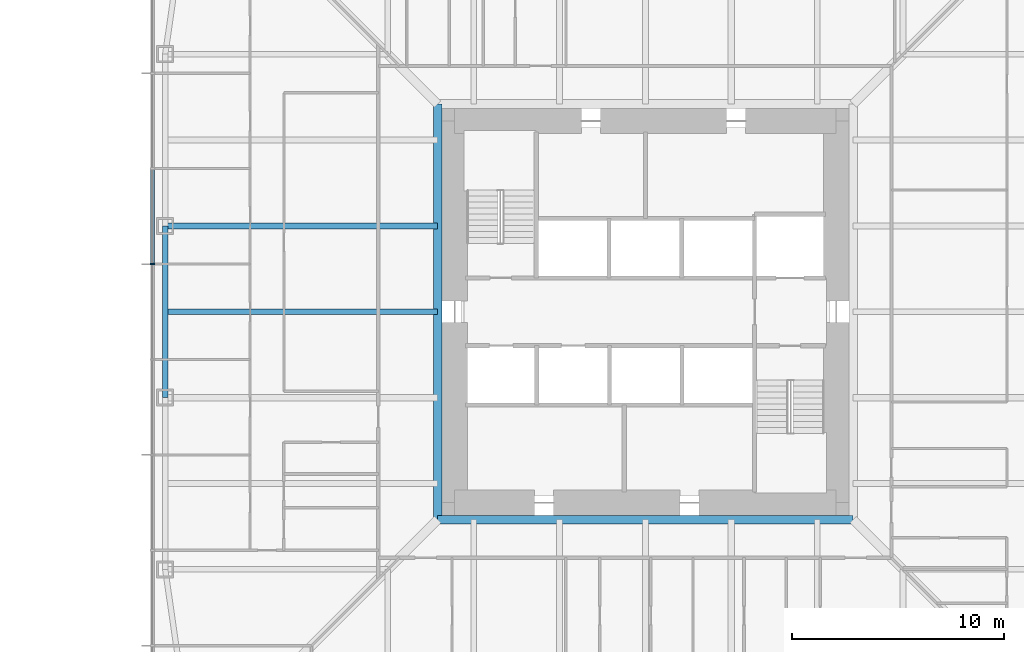
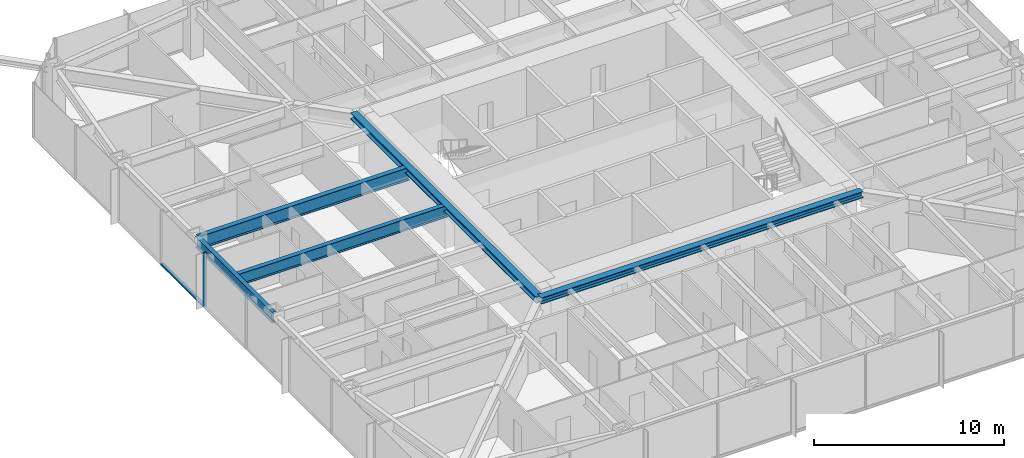
# One storey, part 4 of 26: 5 beams, 2 members, 1 element without a shape of its own.
"""IFC4 building model written with IfcOpenShell, lengths in metres."""

from ifc_helpers import new_model, si_unit, direction, frame, origin, origin_2d, place, context, subcontext, project, spatial, rectangle, i_section, extrude, material, material_profile, profile_set, type_object, element, aggregate, save


model = new_model("IFC4")

# Units and contexts
model_context = context("Model", 3, precision=1e-05, world=origin(), true_north=direction((0.0, 1.0)))
body_context = subcontext(model_context, "Body", "Model", "MODEL_VIEW")
ifc_project = project(units=[si_unit("LENGTHUNIT", "METRE"), si_unit("AREAUNIT", "SQUARE_METRE"), si_unit("VOLUMEUNIT", "CUBIC_METRE"), si_unit("PLANEANGLEUNIT", "RADIAN"), si_unit("MASSUNIT", "GRAM", prefix="KILO")], contexts=[model_context])

# Site, building, storey
site_placement = place(None, origin())
site = spatial("IfcSite", under=ifc_project, at=site_placement, CompositionType="ELEMENT")
building_placement = place(site_placement, origin())
building = spatial("IfcBuilding", under=site, at=building_placement, Name="Iwan Alto Co-Living Towers", CompositionType="ELEMENT")
storey_placement = place(building_placement, frame((0.0, 0.0, 50.0)))
storey = spatial("IfcBuildingStorey", under=building, at=storey_placement, Name="L13", CompositionType="ELEMENT", Elevation=50.0)

# Curtain wall, members
ifc_material_1 = material(Name="Bronze aluminium unitised frame", Category="aluminium")
curtain_wall_type = type_object("IfcCurtainWallType", Name="CURTAIN WALL CW-A", PredefinedType="NOTDEFINED", material=ifc_material_1)
curtain_wall_placement = place(storey_placement, origin())
curtain_wall = element("IfcCurtainWall", 1, at=curtain_wall_placement, inside=storey, type_object=curtain_wall_type, Name="T1 curtain wall W L13", PredefinedType="NOTDEFINED")
ifc_material_2 = material(Name="Aluminium 6063-T6 bronze anodised", Category="aluminium")
ifc_material_profile_1 = material_profile(ifc_material_2, rectangle(XDim=0.199951171875, YDim=0.080078125, at=origin_2d()), Name="AL 80X200")
ifc_profile_set_1 = profile_set([ifc_material_profile_1], Name="Aluminium 6063-T6 bronze anodised")
member_type_1 = type_object("IfcMemberType", Name="CW-A MULLION 80X200", PredefinedType="MULLION", material=ifc_profile_set_1)
member_1_placement = place(storey_placement, frame((-23.25, 2.25, 0.0), z_axis=(0.0, 0.0, 1.0), x_axis=(1.0, 0.0, 0.0)))
member_1 = element("IfcMember", 2, at=member_1_placement, type_object=member_type_1, Name="CW-A mullion 5", PredefinedType="MULLION", context=body_context, shape_type="SweptSolid", body=[
    extrude(rectangle(XDim=0.199951171875, YDim=0.080078125, at=origin_2d()), origin(), (0.0, 0.0, 1.0), 3.5),
])
ifc_material_3 = material(Name="Aluminium 6063-T6 bronze anodised", Category="aluminium")
ifc_material_profile_2 = material_profile(ifc_material_3, rectangle(XDim=0.199951171875, YDim=0.10009765625, at=origin_2d()), Name="AL 200X100")
ifc_profile_set_2 = profile_set([ifc_material_profile_2], Name="Aluminium 6063-T6 bronze anodised")
member_type_2 = type_object("IfcMemberType", Name="CW-A TRANSOM 200X100", PredefinedType="USERDEFINED", material=ifc_profile_set_2)
member_2_placement = place(storey_placement, frame((-23.25, 6.7099609375, 0.050048828125), z_axis=(0.0, -1.0, 0.0), x_axis=(1.0, 0.0, 0.0)))
member_2 = element("IfcMember", 3, at=member_2_placement, type_object=member_type_2, Name="CW-A transom 4.1", ObjectType="TRANSOM", PredefinedType="USERDEFINED", context=body_context, shape_type="SweptSolid", body=[
    extrude(rectangle(XDim=0.199951171875, YDim=0.10009765625, at=origin_2d()), origin(), (0.0, 0.0, 1.0), 4.419921875),
])
aggregate(curtain_wall, [member_1, member_2])

# Beams
ifc_material_4 = material(Name="Steel ASTM A992 Gr 50", Category="steel")
ifc_material_profile_3 = material_profile(ifc_material_4, i_section(OverallWidth=0.40380859375, OverallDepth=0.406494140625, WebThickness=0.027099609375, FlangeThickness=0.043701171875, at=origin_2d()), Name="W14X233")
ifc_profile_set_3 = profile_set([ifc_material_profile_3], Name="Steel ASTM A992 Gr 50")
beam_type_1 = type_object("IfcBeamType", Name="T1 CORE LEDGER BEAM W14X233", PredefinedType="BEAM", material=ifc_profile_set_3)
for number, where, z_axis, x_axis, name in (
    (4, (-9.802001953125, -9.802001953125, 3.06689453125), (1.0, 0.0, 0.0), (0.0, 1.0, 0.0), "T1 core ledger beam S L14"),
    (5, (-9.802001953125, 9.802001953125, 3.06689453125), (0.0, -1.0, 0.0), (1.0, 0.0, 0.0), "T1 core ledger beam W L14"),
):
    element("IfcBeam", number, at=place(storey_placement, frame(where, z_axis=z_axis, x_axis=x_axis)), inside=storey, type_object=beam_type_1, Name=name, PredefinedType="BEAM", context=body_context, shape_type="SweptSolid", body=[
        extrude(i_section(OverallWidth=0.40380859375, OverallDepth=0.406494140625, WebThickness=0.027099609375, FlangeThickness=0.043701171875, at=origin_2d()), origin(), (0.0, 0.0, 1.0), 19.60400390625),
    ])
ifc_material_5 = material(Name="Steel ASTM A992 Gr 50", Category="steel")
ifc_material_profile_4 = material_profile(ifc_material_5, i_section(OverallWidth=0.25390625, OverallDepth=0.683349609375, WebThickness=0.012451171875, FlangeThickness=0.018798828125, at=origin_2d()), Name="W27X94")
ifc_profile_set_4 = profile_set([ifc_material_profile_4], Name="Steel ASTM A992 Gr 50")
beam_type_2 = type_object("IfcBeamType", Name="T1 EDGE BEAM W27X94", PredefinedType="BEAM", material=ifc_profile_set_4)
beam_1_placement = place(storey_placement, frame((-22.64990234375, 4.050048828125, 2.928466796875), z_axis=(0.0, -1.0, 0.0), x_axis=(1.0, 0.0, 0.0)))
element("IfcBeam", 6, at=beam_1_placement, inside=storey, type_object=beam_type_2, Name="T1 edge beam W2 L14", PredefinedType="BEAM", context=body_context, shape_type="SweptSolid", body=[
    extrude(i_section(OverallWidth=0.25390625, OverallDepth=0.683349609375, WebThickness=0.012451171875, FlangeThickness=0.018798828125, at=origin_2d()), origin(), (0.0, 0.0, 1.0), 8.10009765625),
])
ifc_material_6 = material(Name="Steel ASTM A992 Gr 50", Category="steel")
ifc_material_profile_5 = material_profile(ifc_material_6, i_section(OverallWidth=0.2919921875, OverallDepth=0.8408203125, WebThickness=0.0146484375, FlangeThickness=0.021728515625, at=origin_2d()), Name="W33X130")
ifc_profile_set_5 = profile_set([ifc_material_profile_5], Name="Steel ASTM A992 Gr 50")
beam_type_3 = type_object("IfcBeamType", Name="T1 RADIAL BEAM W33X130", PredefinedType="BEAM", material=ifc_profile_set_5)
beam_2_placement = place(storey_placement, frame((-22.64990234375, 4.050048828125, 2.849609375), z_axis=(1.0, 0.0, 0.0), x_axis=(0.0, 1.0, 0.0)))
element("IfcBeam", 7, at=beam_2_placement, inside=storey, type_object=beam_type_3, Name="T1 radial beam W2 L14", PredefinedType="BEAM", context=body_context, shape_type="SweptSolid", body=[
    extrude(i_section(OverallWidth=0.2919921875, OverallDepth=0.8408203125, WebThickness=0.0146484375, FlangeThickness=0.021728515625, at=origin_2d()), origin(), (0.0, 0.0, 1.0), 12.847900390625),
])
ifc_material_7 = material(Name="Steel ASTM A992 Gr 50", Category="steel")
ifc_material_profile_6 = material_profile(ifc_material_7, i_section(OverallWidth=0.2666015625, OverallDepth=0.761962890625, WebThickness=0.014404296875, FlangeThickness=0.021484375, at=origin_2d()), Name="W30X116")
ifc_profile_set_6 = profile_set([ifc_material_profile_6], Name="Steel ASTM A992 Gr 50")
beam_type_4 = type_object("IfcBeamType", Name="T1 SECONDARY BEAM W30X116", PredefinedType="JOIST", material=ifc_profile_set_6)
beam_3_placement = place(storey_placement, frame((-22.64990234375, 0.0, 2.888916015625), z_axis=(1.0, 0.0, 0.0), x_axis=(0.0, 1.0, 0.0)))
element("IfcBeam", 8, at=beam_3_placement, inside=storey, type_object=beam_type_4, Name="T1 secondary beam W2 L14", PredefinedType="JOIST", context=body_context, shape_type="SweptSolid", body=[
    extrude(i_section(OverallWidth=0.2666015625, OverallDepth=0.761962890625, WebThickness=0.014404296875, FlangeThickness=0.021484375, at=origin_2d()), origin(), (0.0, 0.0, 1.0), 12.847900390625),
])

save(model, "model.ifc")
